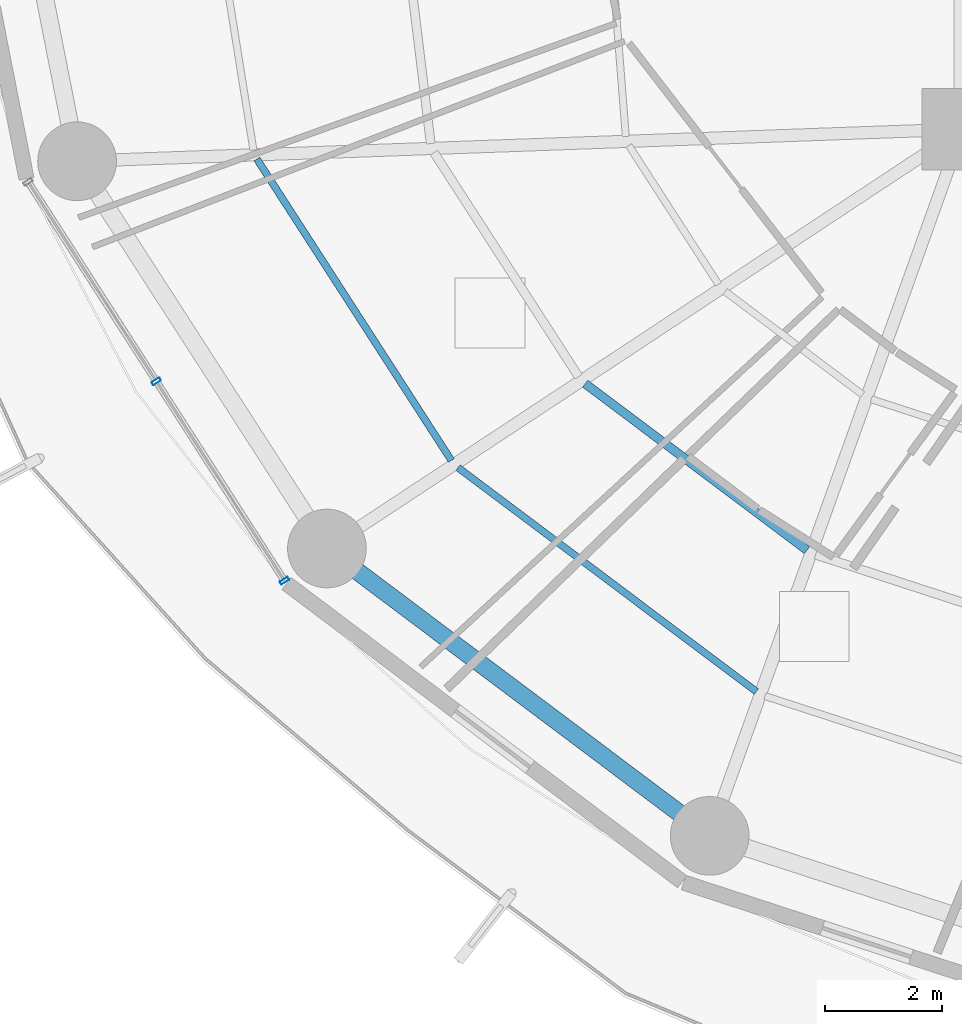
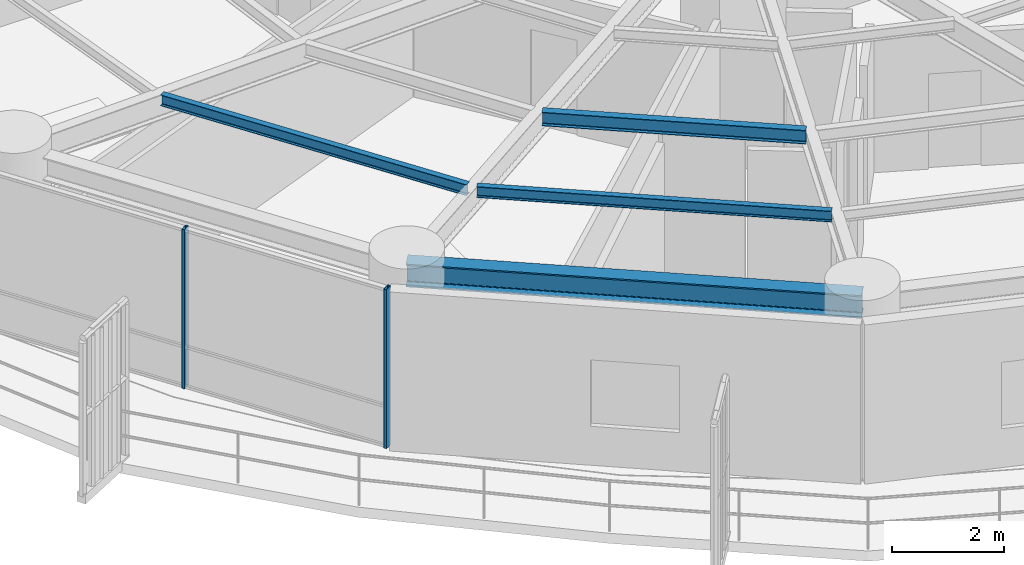
# One storey, part 2 of 34: 4 beams, 2 members, 1 element without a shape of its own.
"""IFC4 building model written with IfcOpenShell, lengths in metres."""

from ifc_helpers import new_model, si_unit, direction, frame, origin, origin_2d, place, context, subcontext, project, spatial, hollow_rectangle, i_section, extrude, material, layer, layer_set, material_profile, profile_set, type_object, element, aggregate, save


model = new_model("IFC4")

# Units and contexts
model_context = context("Model", 3, precision=1e-05, world=origin(), true_north=direction((0.0, 1.0)))
body_context = subcontext(model_context, "Body", "Model", "MODEL_VIEW")
ifc_project = project(units=[si_unit("LENGTHUNIT", "METRE"), si_unit("AREAUNIT", "SQUARE_METRE"), si_unit("VOLUMEUNIT", "CUBIC_METRE"), si_unit("PLANEANGLEUNIT", "RADIAN"), si_unit("MASSUNIT", "GRAM", prefix="KILO")], contexts=[model_context])

# Site, building, storey
site_placement = place(None, origin())
site = spatial("IfcSite", under=ifc_project, at=site_placement, CompositionType="ELEMENT")
building_placement = place(site_placement, origin())
building = spatial("IfcBuilding", under=site, at=building_placement, Name="Kelanora Arch Commons", CompositionType="ELEMENT")
storey_placement = place(building_placement, frame((0.0, 0.0, 76.35009765625)))
storey = spatial("IfcBuildingStorey", under=building, at=storey_placement, Name="L19", CompositionType="ELEMENT", Elevation=76.35009765625)

# Beams
ifc_material_1 = material(Name="Steel S355", Category="steel")
ifc_material_profile_1 = material_profile(ifc_material_1, i_section(OverallWidth=0.14990234375, OverallDepth=0.300048828125, WebThickness=0.007080078125, FlangeThickness=0.0107421875, FilletRadius=0.014892578125, at=origin_2d()), Name="IPE300")
ifc_profile_set_1 = profile_set([ifc_material_profile_1], Name="Steel S355")
beam_type_1 = type_object("IfcBeamType", Name="BM-JST-01", PredefinedType="JOIST", material=ifc_profile_set_1)
beam_1_placement = place(storey_placement, frame((59.5244140625, 46.63330078125, 3.33984375), z_axis=(0.79971039107, -0.600385951214, 0.0), x_axis=(0.600385951214, 0.79971039107, 0.0)))
element("IfcBeam", 1, at=beam_1_placement, inside=storey, type_object=beam_type_1, Name="Secondary Chord Joist BJB-22 L19", PredefinedType="JOIST", context=body_context, shape_type="SweptSolid", body=[
    extrude(i_section(OverallWidth=0.14990234375, OverallDepth=0.300048828125, WebThickness=0.007080078125, FlangeThickness=0.0107421875, FilletRadius=0.014892578125, at=origin_2d()), origin(), (0.0, 0.0, 1.0), 4.756103515625),
])
ifc_material_profile_2 = material_profile(ifc_material_1, i_section(OverallWidth=0.1201171875, OverallDepth=0.239990234375, WebThickness=0.006103515625, FlangeThickness=0.009765625, FilletRadius=0.014892578125, at=origin_2d()), Name="IPE240")
ifc_profile_set_2 = profile_set([ifc_material_profile_2], Name="Steel S355")
beam_type_2 = type_object("IfcBeamType", Name="BM-JST-02", PredefinedType="JOIST", material=ifc_profile_set_2)
beam_2_placement = place(storey_placement, frame((53.892822265625, 50.487060546875, 3.369873046875), z_axis=(0.542212726273, -0.840241250754, 0.0), x_axis=(0.840241250754, 0.542212726273, 0.0)))
element("IfcBeam", 2, at=beam_2_placement, inside=storey, type_object=beam_type_2, Name="Secondary Chord Joist BJC-20 L19", PredefinedType="JOIST", context=body_context, shape_type="SweptSolid", body=[
    extrude(i_section(OverallWidth=0.1201171875, OverallDepth=0.239990234375, WebThickness=0.006103515625, FlangeThickness=0.009765625, FilletRadius=0.014892578125, at=origin_2d()), origin(), (0.0, 0.0, 1.0), 6.15283203125),
])
beam_3_placement = place(storey_placement, frame((57.34326171875, 45.194580078125, 3.369873046875), z_axis=(0.799734335646, -0.600354055861, 0.0), x_axis=(0.600354055861, 0.799734335646, 0.0)))
element("IfcBeam", 3, at=beam_3_placement, inside=storey, type_object=beam_type_2, Name="Secondary Chord Joist BJC-22 L19", PredefinedType="JOIST", context=body_context, shape_type="SweptSolid", body=[
    extrude(i_section(OverallWidth=0.1201171875, OverallDepth=0.239990234375, WebThickness=0.006103515625, FlangeThickness=0.009765625, FilletRadius=0.014892578125, at=origin_2d()), origin(), (0.0, 0.0, 1.0), 6.39794921875),
])
ifc_material_profile_3 = material_profile(ifc_material_1, i_section(OverallWidth=0.300048828125, OverallDepth=0.5, WebThickness=0.014404296875, FlangeThickness=0.028076171875, FilletRadius=0.027099609375, at=origin_2d()), Name="HEB500")
ifc_profile_set_3 = profile_set([ifc_material_profile_3], Name="Steel S355")
beam_type_3 = type_object("IfcBeamType", Name="BM-SPN-Z2", PredefinedType="SPANDREL", material=ifc_profile_set_3)
beam_4_placement = place(storey_placement, frame((55.093994140625, 43.80712890625, 3.239990234375), z_axis=(0.799735861602, -0.600352023123, 0.0), x_axis=(0.600352023123, 0.799735861602, 0.0)))
element("IfcBeam", 4, at=beam_4_placement, inside=storey, type_object=beam_type_3, Name="Perimeter Spandrel Beam BS-22 L19", PredefinedType="SPANDREL", context=body_context, shape_type="SweptSolid", body=[
    extrude(i_section(OverallWidth=0.300048828125, OverallDepth=0.5, WebThickness=0.014404296875, FlangeThickness=0.028076171875, FilletRadius=0.027099609375, at=origin_2d()), origin(), (0.0, 0.0, 1.0), 8.210205078125),
])

# Curtain wall, members
ifc_material_2 = material(Name="Terracotta ceramic-fritted low-E glass and aluminium", Category="masonry")
ifc_layer = layer(ifc_material_2, 0.159912109375)
ifc_layer_set = layer_set([ifc_layer], Name="Terracotta ceramic-fritted low-E glass and aluminium")
curtain_wall_type = type_object("IfcCurtainWallType", Name="CW-SYS-01", PredefinedType="NOTDEFINED", material=ifc_layer_set)
curtain_wall_placement = place(storey_placement, origin())
curtain_wall = element("IfcCurtainWall", 5, at=curtain_wall_placement, inside=storey, type_object=curtain_wall_type, Name="Unitised Curtain Wall L19-B10", PredefinedType="NOTDEFINED")
ifc_material_3 = material(Name="Powder-coated aluminium terracotta", Category="masonry")
ifc_material_profile_4 = material_profile(ifc_material_3, hollow_rectangle(XDim=0.159912109375, YDim=0.06005859375, WallThickness=0.0048828125, InnerFilletRadius=0.0048828125, OuterFilletRadius=0.010009765625, at=origin_2d()), Name="CWM160x60")
ifc_profile_set_4 = profile_set([ifc_material_profile_4], Name="Powder-coated aluminium terracotta")
member_type = type_object("IfcMemberType", Name="CWM-STD", PredefinedType="MULLION", material=ifc_profile_set_4)
member_1_placement = place(storey_placement, frame((52.16650390625, 46.6748046875, 0.0), z_axis=(0.0, 0.0, 1.0), x_axis=(0.841268883088, 0.540616931244, 0.0)))
member_1 = element("IfcMember", 6, at=member_1_placement, type_object=member_type, Name="CW-01 mullion 2", PredefinedType="MULLION", context=body_context, shape_type="SweptSolid", body=[
    extrude(hollow_rectangle(XDim=0.159912109375, YDim=0.06005859375, WallThickness=0.0048828125, InnerFilletRadius=0.0048828125, OuterFilletRadius=0.010009765625, at=origin_2d()), origin(), (0.0, 0.0, 1.0), 3.474853515625),
])
member_2_placement = place(storey_placement, frame((54.364990234375, 43.253662109375, 0.0), z_axis=(0.0, 0.0, 1.0), x_axis=(0.841268883088, 0.540616931244, 0.0)))
member_2 = element("IfcMember", 7, at=member_2_placement, type_object=member_type, Name="CW-01 mullion 3", PredefinedType="MULLION", context=body_context, shape_type="SweptSolid", body=[
    extrude(hollow_rectangle(XDim=0.159912109375, YDim=0.06005859375, WallThickness=0.0048828125, InnerFilletRadius=0.0048828125, OuterFilletRadius=0.010009765625, at=origin_2d()), origin(), (0.0, 0.0, 1.0), 3.474853515625),
])
aggregate(curtain_wall, [member_1, member_2])

save(model, "model.ifc")
